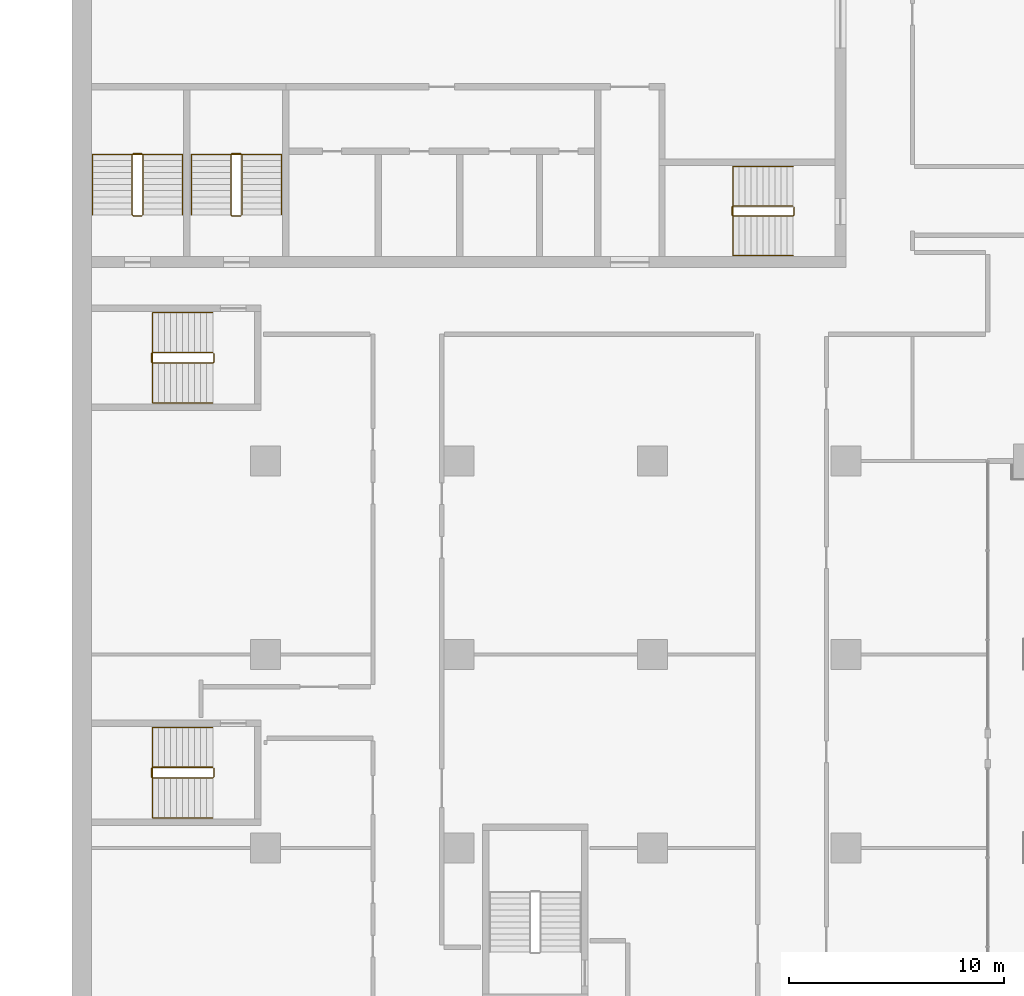
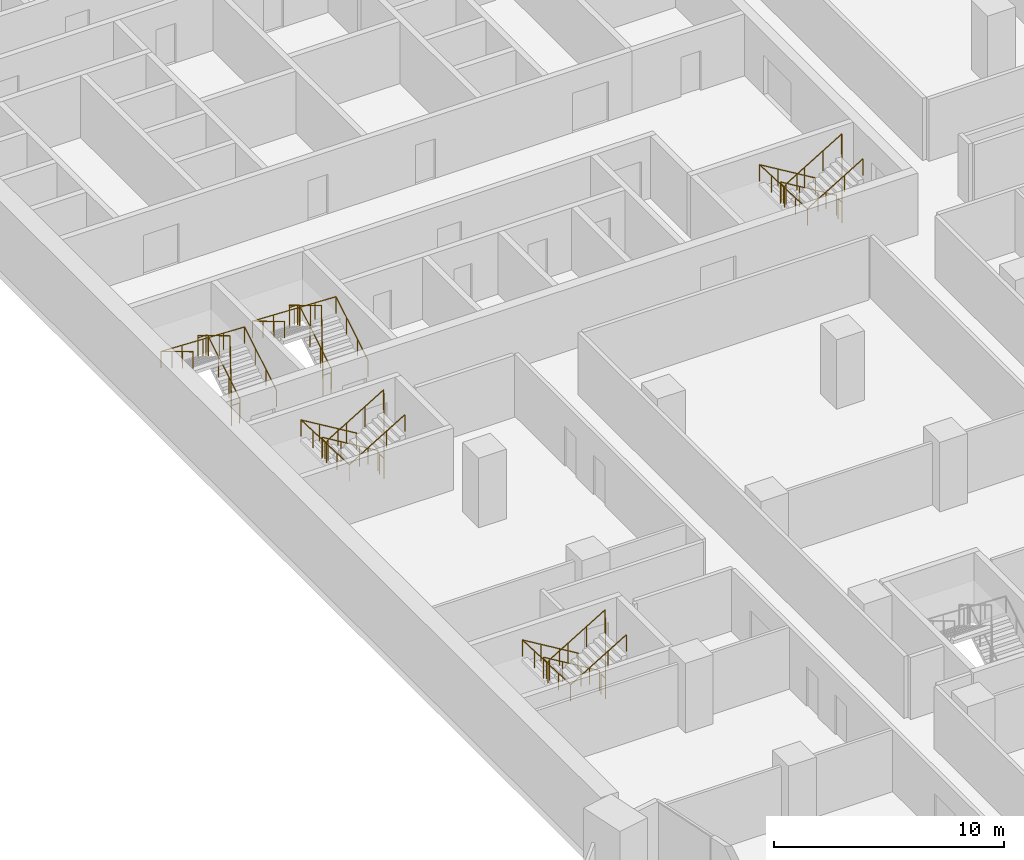
# One storey, part 25 of 28: 10 railings.
"""IFC4 building model written with IfcOpenShell, lengths in metres."""

import ifcopenshell
import ifcopenshell.guid

model = None  # the IFC model being written
_history = None  # IfcOwnerHistory: only IFC2X3 demands one
_inside = {}  # id of a spatial element -> (the spatial element, [elements in it])
_under = {}  # id of a project, library or spatial element -> (it, [spatial elements below it])
_declared = {}  # id of a project -> (the project, [libraries it declares])
_typed = {}  # id of a type object -> (the type object, [elements of that type])
_made_of = {}  # id of a material, layer set ... -> (it, [elements and type objects made of it])


def new_model(schema):
    """Start an empty IFC model of exactly this schema.

    Asked for "IFC4X3", IfcOpenShell would pick the latest addendum, in which some entities
    have other attributes; the version numbers below select the first issue.
    IFC2X3 requires an IfcOwnerHistory on every rooted entity: one is made here for all.
    """
    global model, _history
    if schema == "IFC4X3":
        model = ifcopenshell.file(schema_version=(4, 3, 0, 0))
    else:
        model = ifcopenshell.file(schema=schema)
    _inside.clear()
    _under.clear()
    _declared.clear()
    _typed.clear()
    _made_of.clear()
    _history = None
    if model.schema == "IFC2X3":
        org = make("IfcOrganization", Name="unknown")
        user = make(
            "IfcPersonAndOrganization",
            ThePerson=make("IfcPerson", FamilyName="unknown"),
            TheOrganization=org,
        )
        app = make(
            "IfcApplication",
            ApplicationDeveloper=org,
            Version="unknown",
            ApplicationFullName="unknown",
            ApplicationIdentifier="unknown",
        )
        _history = make(
            "IfcOwnerHistory",
            OwningUser=user,
            OwningApplication=app,
            ChangeAction="ADDED",
            CreationDate=0,
        )
    return model


def make(cls, **values):
    """One entity of the class cls with the attributes given. An attribute that is None is left unset."""
    return model.create_entity(
        cls, **{name: value for name, value in values.items() if value is not None}
    )


def rooted(cls, **values):
    """An entity with a GlobalId (a new one), such as an element, a storey or a relation."""
    return make(cls, GlobalId=ifcopenshell.guid.new(), OwnerHistory=_history, **values)


def si_unit(unit_type, name, prefix=None):
    """IfcSIUnit, for example si_unit("LENGTHUNIT", "METRE", prefix="MILLI")."""
    return make("IfcSIUnit", UnitType=unit_type, Prefix=prefix, Name=name)


def assignment(units):
    """IfcUnitAssignment: the units of a project."""
    return None if units is None else make("IfcUnitAssignment", Units=units)


def point(xyz):
    """IfcCartesianPoint."""
    return None if xyz is None else make("IfcCartesianPoint", Coordinates=xyz)


def direction(xyz):
    """IfcDirection."""
    return None if xyz is None else make("IfcDirection", DirectionRatios=xyz)


def frame(location, z_axis=None, x_axis=None):
    """IfcAxis2Placement3D, a coordinate frame: its origin and axes. An axis left out is left unset."""
    return make(
        "IfcAxis2Placement3D",
        Location=point(location),
        Axis=direction(z_axis),
        RefDirection=direction(x_axis),
    )


def frame_2d(location, x_axis=None):
    """IfcAxis2Placement2D, a coordinate frame in the plane: its origin and x axis."""
    return make(
        "IfcAxis2Placement2D", Location=point(location), RefDirection=direction(x_axis)
    )


def origin():
    """The frame at (0, 0, 0) with its axes left unset."""
    return frame((0.0, 0.0, 0.0))


def origin_2d():
    """The frame at (0, 0) in the plane with its x axis left unset."""
    return frame_2d((0.0, 0.0))


def place(relative_to, where):
    """IfcLocalPlacement: puts the frame where relative to a parent placement (None: the world)."""
    return make(
        "IfcLocalPlacement", PlacementRelTo=relative_to, RelativePlacement=where
    )


def context(
    kind, dimensions, precision=None, world=None, true_north=None, identifier=None
):
    """IfcGeometricRepresentationContext, for example the 3D "Model" context."""
    return make(
        "IfcGeometricRepresentationContext",
        ContextIdentifier=identifier,
        ContextType=kind,
        CoordinateSpaceDimension=dimensions,
        Precision=precision,
        WorldCoordinateSystem=world,
        TrueNorth=true_north,
    )


def subcontext(parent, identifier, kind, view, scale=None):
    """IfcGeometricRepresentationSubContext, for example "Body" below "Model"."""
    return make(
        "IfcGeometricRepresentationSubContext",
        ContextIdentifier=identifier,
        ContextType=kind,
        ParentContext=parent,
        TargetScale=scale,
        TargetView=view,
    )


def project(units=None, contexts=None):
    """IfcProject with its units and contexts."""
    return rooted(
        "IfcProject",
        Name="project",
        RepresentationContexts=contexts,
        UnitsInContext=assignment(units),
    )


def spatial(cls, under=None, at=None, **own):
    """A site, building, storey or space (cls), placed at a placement, below another one or the project."""
    s = rooted(cls, ObjectPlacement=at, **own)
    if under is not None:
        _under.setdefault(under.id(), (under, []))[1].append(s)
    return s


def profile(cls, at=None, kind="AREA", **sizes):
    """A parametric profile (cls). Its sizes go by their IFC names, for example OverallWidth=200.0."""
    return make(cls, ProfileType=kind, Position=at, **sizes)


def circle(**sizes):
    """IfcCircleProfileDef."""
    return profile("IfcCircleProfileDef", **sizes)


def extrude(swept, where, along, depth):
    """IfcExtrudedAreaSolid: the profile swept, set in the frame where, extruded along a direction by depth."""
    return make(
        "IfcExtrudedAreaSolid",
        SweptArea=swept,
        Position=where,
        ExtrudedDirection=direction(along),
        Depth=depth,
    )


def shape(context_of_items, identifier, shape_type, items):
    """IfcShapeRepresentation: the items that make up one representation, for example the "Body"."""
    return make(
        "IfcShapeRepresentation",
        ContextOfItems=context_of_items,
        RepresentationIdentifier=identifier,
        RepresentationType=shape_type,
        Items=items,
    )


def material(Name=None, Category=None):
    """IfcMaterial."""
    return make("IfcMaterial", Name=Name, Category=Category)


def made_of(thing, what):
    """Note that an element or type object is made of a material, layer set ...; save() writes the relation."""
    if what is not None:
        _made_of.setdefault(what.id(), (what, []))[1].append(thing)
    return thing


def type_object(cls, material=None, **own):
    """A type object (cls), such as IfcWallType, which elements share."""
    return made_of(rooted(cls, **own), material)


def element(
    cls,
    number,
    at=None,
    inside=None,
    cuts=None,
    type_object=None,
    material=None,
    context=None,
    identifier="Body",
    shape_type=None,
    held_by="IfcProductDefinitionShape",
    body=None,
    shapes=None,
    **own,
):
    """One element of the class cls, such as IfcWall. Its Tag is "e" and its number.

    at: its placement. inside: the storey or other place that contains it. cuts: it is an
    opening in that element (IfcRelVoidsElement). A single representation is given by context,
    identifier, shape_type and body (its items); several are given by shapes. held_by: the class
    of the entity that holds the representations. save() writes the other relations.
    """
    e = rooted(cls, Tag="e%d" % number, ObjectPlacement=at, **own)
    if body is not None:
        shapes = [shape(context, identifier, shape_type, body)]
    if shapes is not None:
        e.Representation = make(held_by, Representations=shapes)
    if inside is not None:
        _inside.setdefault(inside.id(), (inside, []))[1].append(e)
    if cuts is not None:
        rooted(
            "IfcRelVoidsElement", RelatingBuildingElement=cuts, RelatedOpeningElement=e
        )
    if type_object is not None:
        _typed.setdefault(type_object.id(), (type_object, []))[1].append(e)
    return made_of(e, material)


def aggregate(whole, parts):
    """IfcRelAggregates: a whole, such as a stair, and the parts it consists of."""
    return rooted("IfcRelAggregates", RelatingObject=whole, RelatedObjects=parts)


def save(model, path):
    """Write the relations noted so far, then the file.

    IfcRelAggregates (storeys below a building ...), IfcRelContainedInSpatialStructure (elements
    in a storey), IfcRelDefinesByType, IfcRelAssociatesMaterial and IfcRelDeclares: one each for
    every whole, place, type object, material and project.
    """
    for whole, parts in _under.values():
        aggregate(whole, parts)
    for where, things in _inside.values():
        rooted(
            "IfcRelContainedInSpatialStructure",
            RelatedElements=things,
            RelatingStructure=where,
        )
    for kind, things in _typed.values():
        rooted("IfcRelDefinesByType", RelatedObjects=things, RelatingType=kind)
    for what, things in _made_of.values():
        rooted("IfcRelAssociatesMaterial", RelatedObjects=things, RelatingMaterial=what)
    for by, libraries in _declared.values():
        rooted("IfcRelDeclares", RelatingContext=by, RelatedDefinitions=libraries)
    model.write(path)


model = new_model("IFC4")

# Units and contexts
model_context = context("Model", 3, precision=1e-05, world=origin(), true_north=direction((0.0, 1.0)))
body_context = subcontext(model_context, "Body", "Model", "MODEL_VIEW")
ifc_project = project(units=[si_unit("LENGTHUNIT", "METRE"), si_unit("AREAUNIT", "SQUARE_METRE"), si_unit("VOLUMEUNIT", "CUBIC_METRE"), si_unit("PLANEANGLEUNIT", "RADIAN"), si_unit("MASSUNIT", "GRAM", prefix="KILO")], contexts=[model_context])

# Site, building, storey
site_placement = place(None, origin())
site = spatial("IfcSite", under=ifc_project, at=site_placement, CompositionType="ELEMENT")
building_placement = place(site_placement, origin())
building = spatial("IfcBuilding", under=site, at=building_placement, Name="Hunhe Ridgeline Campus", CompositionType="ELEMENT")
storey_placement = place(building_placement, frame((0.0, 0.0, 43.199951171875)))
storey = spatial("IfcBuildingStorey", under=building, at=storey_placement, Name="L09", CompositionType="ELEMENT", Elevation=43.199951171875)

# Railings
ifc_material_1 = material(Name="Stainless steel balustrade", Category="steel")
railing_type_1 = type_object("IfcRailingType", Name="Stair guard 1100 stainless", PredefinedType="GUARDRAIL", material=ifc_material_1)
railing_1_placement = place(storey_placement, frame((33.550048828125, 65.85009765625, 0.168212890625)))
element("IfcRailing", 1, at=railing_1_placement, inside=storey, type_object=railing_type_1, Name="L09 stair S2 guard", PredefinedType="GUARDRAIL", context=body_context, shape_type="SweptSolid", body=[
    extrude(circle(Radius=0.02392578125, at=origin_2d()), frame((0.0, 0.0, 1.076171875), z_axis=(-0.857242210791, 0.0, 0.514913383045), x_axis=(0.0, -1.0, 0.0)), (0.0, 0.0, 1.0), 3.266357421875),
    extrude(circle(Radius=0.02392578125, at=origin_2d()), frame((-2.800048828125, 0.0, 2.7578125), z_axis=(-0.707106781187, -0.707106781187, 0.0), x_axis=(0.707106781187, -0.707106781187, 0.0)), (0.0, 0.0, 1.0), 0.07080078125),
    extrude(circle(Radius=0.02392578125, at=origin_2d()), frame((-2.85009765625, -0.050048828125, 2.7578125), z_axis=(0.0, -1.0, 0.0), x_axis=(1.0, 0.0, 0.0)), (0.0, 0.0, 1.0), 0.35009765625),
    extrude(circle(Radius=0.02392578125, at=origin_2d()), frame((-2.85009765625, -0.400146484375, 2.7578125), z_axis=(0.274243871929, -0.274243871929, 0.92172696468), x_axis=(0.707106781187, 0.707106781187, 0.0)), (0.0, 0.0, 1.0), 0.1826171875),
    extrude(circle(Radius=0.02392578125, at=origin_2d()), frame((-2.800048828125, -0.4501953125, 2.92626953125), z_axis=(0.857275202839, 0.0, 0.514858452973), x_axis=(0.0, 1.0, 0.0)), (0.0, 0.0, 1.0), 3.26611328125),
    extrude(circle(Radius=0.02392578125, at=origin_2d()), frame((0.0, -0.4501953125, 4.60791015625), z_axis=(0.013524414389, 0.013524414389, -0.999817073484), x_axis=(-0.707106781187, 0.707106781187, 0.0)), (0.0, 0.0, 1.0), 3.70068359375),
    extrude(circle(Radius=0.02392578125, at=origin_2d()), frame((0.050048828125, -0.400146484375, 0.90771484375), z_axis=(0.0, 1.0, 0.0), x_axis=(-1.0, 0.0, 0.0)), (0.0, 0.0, 1.0), 0.35009765625),
    extrude(circle(Radius=0.02099609375, at=origin_2d()), origin(), (0.0, 0.0, 1.0), 1.052001953125),
    extrude(circle(Radius=0.02099609375, at=origin_2d()), frame((-0.933349609375, 0.0, 0.560546875)), (0.0, 0.0, 1.0), 1.052001953125),
    extrude(circle(Radius=0.02099609375, at=origin_2d()), frame((-1.86669921875, 0.0, 1.121337890625)), (0.0, 0.0, 1.0), 1.052001953125),
    extrude(circle(Radius=0.02099609375, at=origin_2d()), frame((-2.800048828125, 0.0, 1.681884765625)), (0.0, 0.0, 1.0), 1.052001953125),
    extrude(circle(Radius=0.02099609375, at=origin_2d()), frame((-2.85009765625, -0.050048828125, 1.681884765625)), (0.0, 0.0, 1.0), 1.052001953125),
    extrude(circle(Radius=0.02099609375, at=origin_2d()), frame((-2.85009765625, -0.400146484375, 1.681884765625)), (0.0, 0.0, 1.0), 1.052001953125),
    extrude(circle(Radius=0.02099609375, at=origin_2d()), frame((-2.800048828125, -0.4501953125, 1.85009765625)), (0.0, 0.0, 1.0), 1.052001953125),
    extrude(circle(Radius=0.02099609375, at=origin_2d()), frame((-1.86669921875, -0.4501953125, 2.41064453125)), (0.0, 0.0, 1.0), 1.052001953125),
    extrude(circle(Radius=0.02099609375, at=origin_2d()), frame((-0.933349609375, -0.4501953125, 2.97119140625)), (0.0, 0.0, 1.0), 1.052001953125),
    extrude(circle(Radius=0.02099609375, at=origin_2d()), frame((0.0, -0.4501953125, 3.53173828125)), (0.0, 0.0, 1.0), 1.052001953125),
    extrude(circle(Radius=0.02099609375, at=origin_2d()), frame((0.012451171875, -0.437744140625, 2.606689453125)), (0.0, 0.0, 1.0), 1.052001953125),
    extrude(circle(Radius=0.02099609375, at=origin_2d()), frame((0.02490234375, -0.42529296875, 1.681640625)), (0.0, 0.0, 1.0), 1.052001953125),
    extrude(circle(Radius=0.02099609375, at=origin_2d()), frame((0.03759765625, -0.41259765625, 0.7568359375)), (0.0, 0.0, 1.0), 1.052001953125),
    extrude(circle(Radius=0.02099609375, at=origin_2d()), frame((0.050048828125, -0.400146484375, -0.168212890625)), (0.0, 0.0, 1.0), 1.052001953125),
    extrude(circle(Radius=0.02099609375, at=origin_2d()), frame((0.050048828125, -0.050048828125, -0.168212890625)), (0.0, 0.0, 1.0), 1.052001953125),
])
railing_2_placement = place(storey_placement, frame((3.300048828125, 65.449951171875, 0.168212890625)))
element("IfcRailing", 2, at=railing_2_placement, inside=storey, type_object=railing_type_1, Name="L09 stair S3 guard", PredefinedType="GUARDRAIL", context=body_context, shape_type="SweptSolid", body=[
    extrude(circle(Radius=0.02392578125, at=origin_2d()), frame((0.0, 0.0, 1.076171875), z_axis=(0.0, 0.857242210791, 0.514913383045), x_axis=(-1.0, 0.0, 0.0)), (0.0, 0.0, 1.0), 3.266357421875),
    extrude(circle(Radius=0.02392578125, at=origin_2d()), frame((0.0, 2.800048828125, 2.7578125), z_axis=(-0.707106781187, 0.707106781187, 0.0), x_axis=(-0.707106781187, -0.707106781187, 0.0)), (0.0, 0.0, 1.0), 0.07080078125),
    extrude(circle(Radius=0.02392578125, at=origin_2d()), frame((-0.050048828125, 2.85009765625, 2.7578125), z_axis=(-1.0, 0.0, 0.0), x_axis=(0.0, -1.0, 0.0)), (0.0, 0.0, 1.0), 0.39990234375),
    extrude(circle(Radius=0.02392578125, at=origin_2d()), frame((-0.449951171875, 2.85009765625, 2.7578125), z_axis=(-0.274243871929, -0.274243871929, 0.92172696468), x_axis=(0.707106781187, -0.707106781187, 0.0)), (0.0, 0.0, 1.0), 0.1826171875),
    extrude(circle(Radius=0.02392578125, at=origin_2d()), frame((-0.5, 2.800048828125, 2.92626953125), z_axis=(0.0, -0.857275202839, 0.514858452973), x_axis=(1.0, 0.0, 0.0)), (0.0, 0.0, 1.0), 3.26611328125),
    extrude(circle(Radius=0.02392578125, at=origin_2d()), frame((-0.5, 0.0, 4.60791015625), z_axis=(0.013524414389, -0.013524414389, -0.999817073484), x_axis=(0.707106781187, 0.707106781187, 0.0)), (0.0, 0.0, 1.0), 3.70068359375),
    extrude(circle(Radius=0.02392578125, at=origin_2d()), frame((-0.449951171875, -0.050048828125, 0.90771484375), z_axis=(1.0, 0.0, 0.0), x_axis=(0.0, 1.0, 0.0)), (0.0, 0.0, 1.0), 0.39990234375),
    extrude(circle(Radius=0.02099609375, at=origin_2d()), origin(), (0.0, 0.0, 1.0), 1.052001953125),
    extrude(circle(Radius=0.02099609375, at=origin_2d()), frame((0.0, 0.933349609375, 0.560546875)), (0.0, 0.0, 1.0), 1.052001953125),
    extrude(circle(Radius=0.02099609375, at=origin_2d()), frame((0.0, 1.86669921875, 1.121337890625)), (0.0, 0.0, 1.0), 1.052001953125),
    extrude(circle(Radius=0.02099609375, at=origin_2d()), frame((0.0, 2.800048828125, 1.681884765625)), (0.0, 0.0, 1.0), 1.052001953125),
    extrude(circle(Radius=0.02099609375, at=origin_2d()), frame((-0.050048828125, 2.85009765625, 1.681884765625)), (0.0, 0.0, 1.0), 1.052001953125),
    extrude(circle(Radius=0.02099609375, at=origin_2d()), frame((-0.449951171875, 2.85009765625, 1.681884765625)), (0.0, 0.0, 1.0), 1.052001953125),
    extrude(circle(Radius=0.02099609375, at=origin_2d()), frame((-0.5, 2.800048828125, 1.85009765625)), (0.0, 0.0, 1.0), 1.052001953125),
    extrude(circle(Radius=0.02099609375, at=origin_2d()), frame((-0.5, 1.86669921875, 2.41064453125)), (0.0, 0.0, 1.0), 1.052001953125),
    extrude(circle(Radius=0.02099609375, at=origin_2d()), frame((-0.5, 0.933349609375, 2.97119140625)), (0.0, 0.0, 1.0), 1.052001953125),
    extrude(circle(Radius=0.02099609375, at=origin_2d()), frame((-0.5, 0.0, 3.53173828125)), (0.0, 0.0, 1.0), 1.052001953125),
    extrude(circle(Radius=0.02099609375, at=origin_2d()), frame((-0.487548828125, -0.012451171875, 2.606689453125)), (0.0, 0.0, 1.0), 1.052001953125),
    extrude(circle(Radius=0.02099609375, at=origin_2d()), frame((-0.47509765625, -0.02490234375, 1.681640625)), (0.0, 0.0, 1.0), 1.052001953125),
    extrude(circle(Radius=0.02099609375, at=origin_2d()), frame((-0.46240234375, -0.03759765625, 0.7568359375)), (0.0, 0.0, 1.0), 1.052001953125),
    extrude(circle(Radius=0.02099609375, at=origin_2d()), frame((-0.449951171875, -0.050048828125, -0.168212890625)), (0.0, 0.0, 1.0), 1.052001953125),
    extrude(circle(Radius=0.02099609375, at=origin_2d()), frame((-0.050048828125, -0.050048828125, -0.168212890625)), (0.0, 0.0, 1.0), 1.052001953125),
])
railing_3_placement = place(storey_placement, frame((7.89990234375, 65.449951171875, 0.168212890625)))
element("IfcRailing", 3, at=railing_3_placement, inside=storey, type_object=railing_type_1, Name="L09 stair S4 guard", PredefinedType="GUARDRAIL", context=body_context, shape_type="SweptSolid", body=[
    extrude(circle(Radius=0.02392578125, at=origin_2d()), frame((0.0, 0.0, 1.076171875), z_axis=(0.0, 0.857242210791, 0.514913383045), x_axis=(-1.0, 0.0, 0.0)), (0.0, 0.0, 1.0), 3.266357421875),
    extrude(circle(Radius=0.02392578125, at=origin_2d()), frame((0.0, 2.800048828125, 2.7578125), z_axis=(-0.705375805398, 0.708833529934, 0.0), x_axis=(-0.708833529934, -0.705375805398, 0.0)), (0.0, 0.0, 1.0), 0.070556640625),
    extrude(circle(Radius=0.02392578125, at=origin_2d()), frame((-0.0498046875, 2.85009765625, 2.7578125), z_axis=(-1.0, 0.0, 0.0), x_axis=(0.0, -1.0, 0.0)), (0.0, 0.0, 1.0), 0.400146484375),
    extrude(circle(Radius=0.02392578125, at=origin_2d()), frame((-0.449951171875, 2.85009765625, 2.7578125), z_axis=(-0.274243871929, -0.274243871929, 0.92172696468), x_axis=(0.707106781187, -0.707106781187, 0.0)), (0.0, 0.0, 1.0), 0.1826171875),
    extrude(circle(Radius=0.02392578125, at=origin_2d()), frame((-0.5, 2.800048828125, 2.92626953125), z_axis=(0.0, -0.857275202839, 0.514858452973), x_axis=(1.0, 0.0, 0.0)), (0.0, 0.0, 1.0), 3.26611328125),
    extrude(circle(Radius=0.02392578125, at=origin_2d()), frame((-0.5, 0.0, 4.60791015625), z_axis=(0.013524414389, -0.013524414389, -0.999817073484), x_axis=(0.707106781187, 0.707106781187, 0.0)), (0.0, 0.0, 1.0), 3.70068359375),
    extrude(circle(Radius=0.02392578125, at=origin_2d()), frame((-0.449951171875, -0.050048828125, 0.90771484375), z_axis=(1.0, 0.0, 0.0), x_axis=(0.0, 1.0, 0.0)), (0.0, 0.0, 1.0), 0.400146484375),
    extrude(circle(Radius=0.02099609375, at=origin_2d()), origin(), (0.0, 0.0, 1.0), 1.052001953125),
    extrude(circle(Radius=0.02099609375, at=origin_2d()), frame((0.0, 0.933349609375, 0.560546875)), (0.0, 0.0, 1.0), 1.052001953125),
    extrude(circle(Radius=0.02099609375, at=origin_2d()), frame((0.0, 1.86669921875, 1.121337890625)), (0.0, 0.0, 1.0), 1.052001953125),
    extrude(circle(Radius=0.02099609375, at=origin_2d()), frame((0.0, 2.800048828125, 1.681884765625)), (0.0, 0.0, 1.0), 1.052001953125),
    extrude(circle(Radius=0.02099609375, at=origin_2d()), frame((-0.0498046875, 2.85009765625, 1.681884765625)), (0.0, 0.0, 1.0), 1.052001953125),
    extrude(circle(Radius=0.02099609375, at=origin_2d()), frame((-0.449951171875, 2.85009765625, 1.681884765625)), (0.0, 0.0, 1.0), 1.052001953125),
    extrude(circle(Radius=0.02099609375, at=origin_2d()), frame((-0.5, 2.800048828125, 1.85009765625)), (0.0, 0.0, 1.0), 1.052001953125),
    extrude(circle(Radius=0.02099609375, at=origin_2d()), frame((-0.5, 1.86669921875, 2.41064453125)), (0.0, 0.0, 1.0), 1.052001953125),
    extrude(circle(Radius=0.02099609375, at=origin_2d()), frame((-0.5, 0.933349609375, 2.97119140625)), (0.0, 0.0, 1.0), 1.052001953125),
    extrude(circle(Radius=0.02099609375, at=origin_2d()), frame((-0.5, 0.0, 3.53173828125)), (0.0, 0.0, 1.0), 1.052001953125),
    extrude(circle(Radius=0.02099609375, at=origin_2d()), frame((-0.487548828125, -0.012451171875, 2.606689453125)), (0.0, 0.0, 1.0), 1.052001953125),
    extrude(circle(Radius=0.02099609375, at=origin_2d()), frame((-0.47509765625, -0.02490234375, 1.681640625)), (0.0, 0.0, 1.0), 1.052001953125),
    extrude(circle(Radius=0.02099609375, at=origin_2d()), frame((-0.46240234375, -0.03759765625, 0.7568359375)), (0.0, 0.0, 1.0), 1.052001953125),
    extrude(circle(Radius=0.02099609375, at=origin_2d()), frame((-0.449951171875, -0.050048828125, -0.168212890625)), (0.0, 0.0, 1.0), 1.052001953125),
    extrude(circle(Radius=0.02099609375, at=origin_2d()), frame((-0.0498046875, -0.050048828125, -0.168212890625)), (0.0, 0.0, 1.0), 1.052001953125),
])
railing_4_placement = place(storey_placement, frame((6.550048828125, 39.75, 0.168212890625)))
element("IfcRailing", 4, at=railing_4_placement, inside=storey, type_object=railing_type_1, Name="L09 stair W1 guard", PredefinedType="GUARDRAIL", context=body_context, shape_type="SweptSolid", body=[
    extrude(circle(Radius=0.02392578125, at=origin_2d()), frame((0.0, 0.0, 1.076171875), z_axis=(-0.857242210791, 0.0, 0.514913383045), x_axis=(0.0, -1.0, 0.0)), (0.0, 0.0, 1.0), 3.266357421875),
    extrude(circle(Radius=0.02392578125, at=origin_2d()), frame((-2.800048828125, 0.0, 2.7578125), z_axis=(-0.707106781187, -0.707106781187, 0.0), x_axis=(0.707106781187, -0.707106781187, 0.0)), (0.0, 0.0, 1.0), 0.07080078125),
    extrude(circle(Radius=0.02392578125, at=origin_2d()), frame((-2.85009765625, -0.050048828125, 2.7578125), z_axis=(0.0, -1.0, 0.0), x_axis=(1.0, 0.0, 0.0)), (0.0, 0.0, 1.0), 0.39990234375),
    extrude(circle(Radius=0.02392578125, at=origin_2d()), frame((-2.85009765625, -0.449951171875, 2.7578125), z_axis=(0.274243871929, -0.274243871929, 0.92172696468), x_axis=(0.707106781187, 0.707106781187, 0.0)), (0.0, 0.0, 1.0), 0.1826171875),
    extrude(circle(Radius=0.02392578125, at=origin_2d()), frame((-2.800048828125, -0.5, 2.92626953125), z_axis=(0.857275202839, 0.0, 0.514858452973), x_axis=(0.0, 1.0, 0.0)), (0.0, 0.0, 1.0), 3.26611328125),
    extrude(circle(Radius=0.02392578125, at=origin_2d()), frame((0.0, -0.5, 4.60791015625), z_axis=(0.013524414389, 0.013524414389, -0.999817073484), x_axis=(-0.707106781187, 0.707106781187, 0.0)), (0.0, 0.0, 1.0), 3.70068359375),
    extrude(circle(Radius=0.02392578125, at=origin_2d()), frame((0.050048828125, -0.449951171875, 0.90771484375), z_axis=(0.0, 1.0, 0.0), x_axis=(-1.0, 0.0, 0.0)), (0.0, 0.0, 1.0), 0.39990234375),
    extrude(circle(Radius=0.02099609375, at=origin_2d()), origin(), (0.0, 0.0, 1.0), 1.052001953125),
    extrude(circle(Radius=0.02099609375, at=origin_2d()), frame((-0.933349609375, 0.0, 0.560546875)), (0.0, 0.0, 1.0), 1.052001953125),
    extrude(circle(Radius=0.02099609375, at=origin_2d()), frame((-1.86669921875, 0.0, 1.121337890625)), (0.0, 0.0, 1.0), 1.052001953125),
    extrude(circle(Radius=0.02099609375, at=origin_2d()), frame((-2.800048828125, 0.0, 1.681884765625)), (0.0, 0.0, 1.0), 1.052001953125),
    extrude(circle(Radius=0.02099609375, at=origin_2d()), frame((-2.85009765625, -0.050048828125, 1.681884765625)), (0.0, 0.0, 1.0), 1.052001953125),
    extrude(circle(Radius=0.02099609375, at=origin_2d()), frame((-2.85009765625, -0.449951171875, 1.681884765625)), (0.0, 0.0, 1.0), 1.052001953125),
    extrude(circle(Radius=0.02099609375, at=origin_2d()), frame((-2.800048828125, -0.5, 1.85009765625)), (0.0, 0.0, 1.0), 1.052001953125),
    extrude(circle(Radius=0.02099609375, at=origin_2d()), frame((-1.86669921875, -0.5, 2.41064453125)), (0.0, 0.0, 1.0), 1.052001953125),
    extrude(circle(Radius=0.02099609375, at=origin_2d()), frame((-0.933349609375, -0.5, 2.97119140625)), (0.0, 0.0, 1.0), 1.052001953125),
    extrude(circle(Radius=0.02099609375, at=origin_2d()), frame((0.0, -0.5, 3.53173828125)), (0.0, 0.0, 1.0), 1.052001953125),
    extrude(circle(Radius=0.02099609375, at=origin_2d()), frame((0.012451171875, -0.487548828125, 2.606689453125)), (0.0, 0.0, 1.0), 1.052001953125),
    extrude(circle(Radius=0.02099609375, at=origin_2d()), frame((0.02490234375, -0.47509765625, 1.681640625)), (0.0, 0.0, 1.0), 1.052001953125),
    extrude(circle(Radius=0.02099609375, at=origin_2d()), frame((0.03759765625, -0.46240234375, 0.7568359375)), (0.0, 0.0, 1.0), 1.052001953125),
    extrude(circle(Radius=0.02099609375, at=origin_2d()), frame((0.050048828125, -0.449951171875, -0.168212890625)), (0.0, 0.0, 1.0), 1.052001953125),
    extrude(circle(Radius=0.02099609375, at=origin_2d()), frame((0.050048828125, -0.050048828125, -0.168212890625)), (0.0, 0.0, 1.0), 1.052001953125),
])
railing_5_placement = place(storey_placement, frame((6.550048828125, 59.050048828125, 0.168212890625)))
element("IfcRailing", 5, at=railing_5_placement, inside=storey, type_object=railing_type_1, Name="L09 stair W2 guard", PredefinedType="GUARDRAIL", context=body_context, shape_type="SweptSolid", body=[
    extrude(circle(Radius=0.02392578125, at=origin_2d()), frame((0.0, 0.0, 1.076171875), z_axis=(-0.857242210791, 0.0, 0.514913383045), x_axis=(0.0, -1.0, 0.0)), (0.0, 0.0, 1.0), 3.266357421875),
    extrude(circle(Radius=0.02392578125, at=origin_2d()), frame((-2.800048828125, 0.0, 2.7578125), z_axis=(-0.707106781187, -0.707106781187, 0.0), x_axis=(0.707106781187, -0.707106781187, 0.0)), (0.0, 0.0, 1.0), 0.07080078125),
    extrude(circle(Radius=0.02392578125, at=origin_2d()), frame((-2.85009765625, -0.050048828125, 2.7578125), z_axis=(0.0, -1.0, 0.0), x_axis=(1.0, 0.0, 0.0)), (0.0, 0.0, 1.0), 0.39990234375),
    extrude(circle(Radius=0.02392578125, at=origin_2d()), frame((-2.85009765625, -0.449951171875, 2.7578125), z_axis=(0.274243871929, -0.274243871929, 0.92172696468), x_axis=(0.707106781187, 0.707106781187, 0.0)), (0.0, 0.0, 1.0), 0.1826171875),
    extrude(circle(Radius=0.02392578125, at=origin_2d()), frame((-2.800048828125, -0.5, 2.92626953125), z_axis=(0.857275202839, 0.0, 0.514858452973), x_axis=(0.0, 1.0, 0.0)), (0.0, 0.0, 1.0), 3.26611328125),
    extrude(circle(Radius=0.02392578125, at=origin_2d()), frame((0.0, -0.5, 4.60791015625), z_axis=(0.013524414389, 0.013524414389, -0.999817073484), x_axis=(-0.707106781187, 0.707106781187, 0.0)), (0.0, 0.0, 1.0), 3.70068359375),
    extrude(circle(Radius=0.02392578125, at=origin_2d()), frame((0.050048828125, -0.449951171875, 0.90771484375), z_axis=(0.0, 1.0, 0.0), x_axis=(-1.0, 0.0, 0.0)), (0.0, 0.0, 1.0), 0.39990234375),
    extrude(circle(Radius=0.02099609375, at=origin_2d()), origin(), (0.0, 0.0, 1.0), 1.052001953125),
    extrude(circle(Radius=0.02099609375, at=origin_2d()), frame((-0.933349609375, 0.0, 0.560546875)), (0.0, 0.0, 1.0), 1.052001953125),
    extrude(circle(Radius=0.02099609375, at=origin_2d()), frame((-1.86669921875, 0.0, 1.121337890625)), (0.0, 0.0, 1.0), 1.052001953125),
    extrude(circle(Radius=0.02099609375, at=origin_2d()), frame((-2.800048828125, 0.0, 1.681884765625)), (0.0, 0.0, 1.0), 1.052001953125),
    extrude(circle(Radius=0.02099609375, at=origin_2d()), frame((-2.85009765625, -0.050048828125, 1.681884765625)), (0.0, 0.0, 1.0), 1.052001953125),
    extrude(circle(Radius=0.02099609375, at=origin_2d()), frame((-2.85009765625, -0.449951171875, 1.681884765625)), (0.0, 0.0, 1.0), 1.052001953125),
    extrude(circle(Radius=0.02099609375, at=origin_2d()), frame((-2.800048828125, -0.5, 1.85009765625)), (0.0, 0.0, 1.0), 1.052001953125),
    extrude(circle(Radius=0.02099609375, at=origin_2d()), frame((-1.86669921875, -0.5, 2.41064453125)), (0.0, 0.0, 1.0), 1.052001953125),
    extrude(circle(Radius=0.02099609375, at=origin_2d()), frame((-0.933349609375, -0.5, 2.97119140625)), (0.0, 0.0, 1.0), 1.052001953125),
    extrude(circle(Radius=0.02099609375, at=origin_2d()), frame((0.0, -0.5, 3.53173828125)), (0.0, 0.0, 1.0), 1.052001953125),
    extrude(circle(Radius=0.02099609375, at=origin_2d()), frame((0.012451171875, -0.487548828125, 2.606689453125)), (0.0, 0.0, 1.0), 1.052001953125),
    extrude(circle(Radius=0.02099609375, at=origin_2d()), frame((0.02490234375, -0.47509765625, 1.681640625)), (0.0, 0.0, 1.0), 1.052001953125),
    extrude(circle(Radius=0.02099609375, at=origin_2d()), frame((0.03759765625, -0.46240234375, 0.7568359375)), (0.0, 0.0, 1.0), 1.052001953125),
    extrude(circle(Radius=0.02099609375, at=origin_2d()), frame((0.050048828125, -0.449951171875, -0.168212890625)), (0.0, 0.0, 1.0), 1.052001953125),
    extrude(circle(Radius=0.02099609375, at=origin_2d()), frame((0.050048828125, -0.050048828125, -0.168212890625)), (0.0, 0.0, 1.0), 1.052001953125),
])
ifc_material_2 = material(Name="Stainless steel handrail", Category="steel")
railing_type_2 = type_object("IfcRailingType", Name="Stair handrail 900 stainless", PredefinedType="HANDRAIL", material=ifc_material_2)
railing_6_placement = place(storey_placement, frame((33.550048828125, 67.699951171875, 0.168212890625)))
element("IfcRailing", 6, at=railing_6_placement, inside=storey, type_object=railing_type_2, Name="L09 stair S2 handrail", PredefinedType="HANDRAIL", context=body_context, shape_type="SweptSolid", body=[
    extrude(circle(Radius=0.02392578125, at=origin_2d()), frame((0.0, 0.0, 0.8759765625), z_axis=(-0.857242210791, 0.0, 0.514913383045), x_axis=(0.0, -1.0, 0.0)), (0.0, 0.0, 1.0), 3.266357421875),
    extrude(circle(Radius=0.02392578125, at=origin_2d()), frame((-2.800048828125, 0.0, 2.5576171875), z_axis=(0.0, -0.99917950104, 0.040500922239), x_axis=(1.0, 0.0, 0.0)), (0.0, 0.0, 1.0), 4.1533203125),
    extrude(circle(Radius=0.02392578125, at=origin_2d()), frame((-2.800048828125, -4.14990234375, 2.72607421875), z_axis=(0.857275202839, 0.0, 0.514858452973), x_axis=(0.0, 1.0, 0.0)), (0.0, 0.0, 1.0), 3.26611328125),
    extrude(circle(Radius=0.02099609375, at=origin_2d()), origin(), (0.0, 0.0, 1.0), 0.851806640625),
    extrude(circle(Radius=0.02099609375, at=origin_2d()), frame((-0.933349609375, 0.0, 0.560546875)), (0.0, 0.0, 1.0), 0.851806640625),
    extrude(circle(Radius=0.02099609375, at=origin_2d()), frame((-1.86669921875, 0.0, 1.121337890625)), (0.0, 0.0, 1.0), 0.851806640625),
    extrude(circle(Radius=0.02099609375, at=origin_2d()), frame((-2.800048828125, 0.0, 1.681884765625)), (0.0, 0.0, 1.0), 0.851806640625),
    extrude(circle(Radius=0.02099609375, at=origin_2d()), frame((-2.800048828125, -1.03759765625, 1.723876953125)), (0.0, 0.0, 1.0), 0.851806640625),
    extrude(circle(Radius=0.02099609375, at=origin_2d()), frame((-2.800048828125, -2.074951171875, 1.76611328125)), (0.0, 0.0, 1.0), 0.851806640625),
    extrude(circle(Radius=0.02099609375, at=origin_2d()), frame((-2.800048828125, -3.1123046875, 1.80810546875)), (0.0, 0.0, 1.0), 0.851806640625),
    extrude(circle(Radius=0.02099609375, at=origin_2d()), frame((-2.800048828125, -4.14990234375, 1.85009765625)), (0.0, 0.0, 1.0), 0.851806640625),
    extrude(circle(Radius=0.02099609375, at=origin_2d()), frame((-1.86669921875, -4.14990234375, 2.41064453125)), (0.0, 0.0, 1.0), 0.851806640625),
    extrude(circle(Radius=0.02099609375, at=origin_2d()), frame((-0.933349609375, -4.14990234375, 2.97119140625)), (0.0, 0.0, 1.0), 0.851806640625),
    extrude(circle(Radius=0.02099609375, at=origin_2d()), frame((0.0, -4.14990234375, 3.53173828125)), (0.0, 0.0, 1.0), 0.851806640625),
])
railing_7_placement = place(storey_placement, frame((5.14990234375, 65.449951171875, 0.168212890625)))
element("IfcRailing", 7, at=railing_7_placement, inside=storey, type_object=railing_type_2, Name="L09 stair S3 handrail", PredefinedType="HANDRAIL", context=body_context, shape_type="SweptSolid", body=[
    extrude(circle(Radius=0.02392578125, at=origin_2d()), frame((0.0, 0.0, 0.8759765625), z_axis=(0.0, 0.857242210791, 0.514913383045), x_axis=(-1.0, 0.0, 0.0)), (0.0, 0.0, 1.0), 3.266357421875),
    extrude(circle(Radius=0.02392578125, at=origin_2d()), frame((0.0, 2.800048828125, 2.5576171875), z_axis=(-0.999198916169, 0.0, 0.040019069537), x_axis=(0.0, -1.0, 0.0)), (0.0, 0.0, 1.0), 4.203369140625),
    extrude(circle(Radius=0.02392578125, at=origin_2d()), frame((-4.199951171875, 2.800048828125, 2.72607421875), z_axis=(0.0, -0.857275202839, 0.514858452973), x_axis=(1.0, 0.0, 0.0)), (0.0, 0.0, 1.0), 3.26611328125),
    extrude(circle(Radius=0.02099609375, at=origin_2d()), origin(), (0.0, 0.0, 1.0), 0.851806640625),
    extrude(circle(Radius=0.02099609375, at=origin_2d()), frame((0.0, 0.933349609375, 0.560546875)), (0.0, 0.0, 1.0), 0.851806640625),
    extrude(circle(Radius=0.02099609375, at=origin_2d()), frame((0.0, 1.86669921875, 1.121337890625)), (0.0, 0.0, 1.0), 0.851806640625),
    extrude(circle(Radius=0.02099609375, at=origin_2d()), frame((0.0, 2.800048828125, 1.681884765625)), (0.0, 0.0, 1.0), 0.851806640625),
    extrude(circle(Radius=0.02099609375, at=origin_2d()), frame((-1.050048828125, 2.800048828125, 1.723876953125)), (0.0, 0.0, 1.0), 0.851806640625),
    extrude(circle(Radius=0.02099609375, at=origin_2d()), frame((-2.10009765625, 2.800048828125, 1.76611328125)), (0.0, 0.0, 1.0), 0.851806640625),
    extrude(circle(Radius=0.02099609375, at=origin_2d()), frame((-3.14990234375, 2.800048828125, 1.80810546875)), (0.0, 0.0, 1.0), 0.851806640625),
    extrude(circle(Radius=0.02099609375, at=origin_2d()), frame((-4.199951171875, 2.800048828125, 1.85009765625)), (0.0, 0.0, 1.0), 0.851806640625),
    extrude(circle(Radius=0.02099609375, at=origin_2d()), frame((-4.199951171875, 1.86669921875, 2.41064453125)), (0.0, 0.0, 1.0), 0.851806640625),
    extrude(circle(Radius=0.02099609375, at=origin_2d()), frame((-4.199951171875, 0.933349609375, 2.97119140625)), (0.0, 0.0, 1.0), 0.851806640625),
    extrude(circle(Radius=0.02099609375, at=origin_2d()), frame((-4.199951171875, 0.0, 3.53173828125)), (0.0, 0.0, 1.0), 0.851806640625),
])
railing_8_placement = place(storey_placement, frame((9.75, 65.449951171875, 0.168212890625)))
element("IfcRailing", 8, at=railing_8_placement, inside=storey, type_object=railing_type_2, Name="L09 stair S4 handrail", PredefinedType="HANDRAIL", context=body_context, shape_type="SweptSolid", body=[
    extrude(circle(Radius=0.02392578125, at=origin_2d()), frame((0.0, 0.0, 0.8759765625), z_axis=(0.0, 0.857242210791, 0.514913383045), x_axis=(-1.0, 0.0, 0.0)), (0.0, 0.0, 1.0), 3.266357421875),
    extrude(circle(Radius=0.02392578125, at=origin_2d()), frame((0.0, 2.800048828125, 2.5576171875), z_axis=(-0.999198916169, 0.0, 0.040019069537), x_axis=(0.0, -1.0, 0.0)), (0.0, 0.0, 1.0), 4.203369140625),
    extrude(circle(Radius=0.02392578125, at=origin_2d()), frame((-4.199951171875, 2.800048828125, 2.72607421875), z_axis=(0.0, -0.857275202839, 0.514858452973), x_axis=(1.0, 0.0, 0.0)), (0.0, 0.0, 1.0), 3.26611328125),
    extrude(circle(Radius=0.02099609375, at=origin_2d()), origin(), (0.0, 0.0, 1.0), 0.851806640625),
    extrude(circle(Radius=0.02099609375, at=origin_2d()), frame((0.0, 0.933349609375, 0.560546875)), (0.0, 0.0, 1.0), 0.851806640625),
    extrude(circle(Radius=0.02099609375, at=origin_2d()), frame((0.0, 1.86669921875, 1.121337890625)), (0.0, 0.0, 1.0), 0.851806640625),
    extrude(circle(Radius=0.02099609375, at=origin_2d()), frame((0.0, 2.800048828125, 1.681884765625)), (0.0, 0.0, 1.0), 0.851806640625),
    extrude(circle(Radius=0.02099609375, at=origin_2d()), frame((-1.050048828125, 2.800048828125, 1.723876953125)), (0.0, 0.0, 1.0), 0.851806640625),
    extrude(circle(Radius=0.02099609375, at=origin_2d()), frame((-2.10009765625, 2.800048828125, 1.76611328125)), (0.0, 0.0, 1.0), 0.851806640625),
    extrude(circle(Radius=0.02099609375, at=origin_2d()), frame((-3.14990234375, 2.800048828125, 1.80810546875)), (0.0, 0.0, 1.0), 0.851806640625),
    extrude(circle(Radius=0.02099609375, at=origin_2d()), frame((-4.199951171875, 2.800048828125, 1.85009765625)), (0.0, 0.0, 1.0), 0.851806640625),
    extrude(circle(Radius=0.02099609375, at=origin_2d()), frame((-4.199951171875, 1.86669921875, 2.41064453125)), (0.0, 0.0, 1.0), 0.851806640625),
    extrude(circle(Radius=0.02099609375, at=origin_2d()), frame((-4.199951171875, 0.933349609375, 2.97119140625)), (0.0, 0.0, 1.0), 0.851806640625),
    extrude(circle(Radius=0.02099609375, at=origin_2d()), frame((-4.199951171875, 0.0, 3.53173828125)), (0.0, 0.0, 1.0), 0.851806640625),
])
railing_9_placement = place(storey_placement, frame((6.550048828125, 41.60009765625, 0.168212890625)))
element("IfcRailing", 9, at=railing_9_placement, inside=storey, type_object=railing_type_2, Name="L09 stair W1 handrail", PredefinedType="HANDRAIL", context=body_context, shape_type="SweptSolid", body=[
    extrude(circle(Radius=0.02392578125, at=origin_2d()), frame((0.0, 0.0, 0.8759765625), z_axis=(-0.857242210791, 0.0, 0.514913383045), x_axis=(0.0, -1.0, 0.0)), (0.0, 0.0, 1.0), 3.266357421875),
    extrude(circle(Radius=0.02392578125, at=origin_2d()), frame((-2.800048828125, 0.0, 2.5576171875), z_axis=(0.0, -0.999199009182, 0.040016747113), x_axis=(1.0, 0.0, 0.0)), (0.0, 0.0, 1.0), 4.20361328125),
    extrude(circle(Radius=0.02392578125, at=origin_2d()), frame((-2.800048828125, -4.2001953125, 2.72607421875), z_axis=(0.857275202839, 0.0, 0.514858452973), x_axis=(0.0, 1.0, 0.0)), (0.0, 0.0, 1.0), 3.26611328125),
    extrude(circle(Radius=0.02099609375, at=origin_2d()), origin(), (0.0, 0.0, 1.0), 0.851806640625),
    extrude(circle(Radius=0.02099609375, at=origin_2d()), frame((-0.933349609375, 0.0, 0.560546875)), (0.0, 0.0, 1.0), 0.851806640625),
    extrude(circle(Radius=0.02099609375, at=origin_2d()), frame((-1.86669921875, 0.0, 1.121337890625)), (0.0, 0.0, 1.0), 0.851806640625),
    extrude(circle(Radius=0.02099609375, at=origin_2d()), frame((-2.800048828125, 0.0, 1.681884765625)), (0.0, 0.0, 1.0), 0.851806640625),
    extrude(circle(Radius=0.02099609375, at=origin_2d()), frame((-2.800048828125, -1.050048828125, 1.723876953125)), (0.0, 0.0, 1.0), 0.851806640625),
    extrude(circle(Radius=0.02099609375, at=origin_2d()), frame((-2.800048828125, -2.10009765625, 1.76611328125)), (0.0, 0.0, 1.0), 0.851806640625),
    extrude(circle(Radius=0.02099609375, at=origin_2d()), frame((-2.800048828125, -3.150146484375, 1.80810546875)), (0.0, 0.0, 1.0), 0.851806640625),
    extrude(circle(Radius=0.02099609375, at=origin_2d()), frame((-2.800048828125, -4.2001953125, 1.85009765625)), (0.0, 0.0, 1.0), 0.851806640625),
    extrude(circle(Radius=0.02099609375, at=origin_2d()), frame((-1.86669921875, -4.2001953125, 2.41064453125)), (0.0, 0.0, 1.0), 0.851806640625),
    extrude(circle(Radius=0.02099609375, at=origin_2d()), frame((-0.933349609375, -4.2001953125, 2.97119140625)), (0.0, 0.0, 1.0), 0.851806640625),
    extrude(circle(Radius=0.02099609375, at=origin_2d()), frame((0.0, -4.2001953125, 3.53173828125)), (0.0, 0.0, 1.0), 0.851806640625),
])
railing_10_placement = place(storey_placement, frame((6.550048828125, 60.89990234375, 0.168212890625)))
element("IfcRailing", 10, at=railing_10_placement, inside=storey, type_object=railing_type_2, Name="L09 stair W2 handrail", PredefinedType="HANDRAIL", context=body_context, shape_type="SweptSolid", body=[
    extrude(circle(Radius=0.02392578125, at=origin_2d()), frame((0.0, 0.0, 0.8759765625), z_axis=(-0.857242210791, 0.0, 0.514913383045), x_axis=(0.0, -1.0, 0.0)), (0.0, 0.0, 1.0), 3.266357421875),
    extrude(circle(Radius=0.02392578125, at=origin_2d()), frame((-2.800048828125, 0.0, 2.5576171875), z_axis=(0.0, -0.999198916169, 0.040019069537), x_axis=(1.0, 0.0, 0.0)), (0.0, 0.0, 1.0), 4.203369140625),
    extrude(circle(Radius=0.02392578125, at=origin_2d()), frame((-2.800048828125, -4.199951171875, 2.72607421875), z_axis=(0.857275202839, 0.0, 0.514858452973), x_axis=(0.0, 1.0, 0.0)), (0.0, 0.0, 1.0), 3.26611328125),
    extrude(circle(Radius=0.02099609375, at=origin_2d()), origin(), (0.0, 0.0, 1.0), 0.851806640625),
    extrude(circle(Radius=0.02099609375, at=origin_2d()), frame((-0.933349609375, 0.0, 0.560546875)), (0.0, 0.0, 1.0), 0.851806640625),
    extrude(circle(Radius=0.02099609375, at=origin_2d()), frame((-1.86669921875, 0.0, 1.121337890625)), (0.0, 0.0, 1.0), 0.851806640625),
    extrude(circle(Radius=0.02099609375, at=origin_2d()), frame((-2.800048828125, 0.0, 1.681884765625)), (0.0, 0.0, 1.0), 0.851806640625),
    extrude(circle(Radius=0.02099609375, at=origin_2d()), frame((-2.800048828125, -1.050048828125, 1.723876953125)), (0.0, 0.0, 1.0), 0.851806640625),
    extrude(circle(Radius=0.02099609375, at=origin_2d()), frame((-2.800048828125, -2.10009765625, 1.76611328125)), (0.0, 0.0, 1.0), 0.851806640625),
    extrude(circle(Radius=0.02099609375, at=origin_2d()), frame((-2.800048828125, -3.14990234375, 1.80810546875)), (0.0, 0.0, 1.0), 0.851806640625),
    extrude(circle(Radius=0.02099609375, at=origin_2d()), frame((-2.800048828125, -4.199951171875, 1.85009765625)), (0.0, 0.0, 1.0), 0.851806640625),
    extrude(circle(Radius=0.02099609375, at=origin_2d()), frame((-1.86669921875, -4.199951171875, 2.41064453125)), (0.0, 0.0, 1.0), 0.851806640625),
    extrude(circle(Radius=0.02099609375, at=origin_2d()), frame((-0.933349609375, -4.199951171875, 2.97119140625)), (0.0, 0.0, 1.0), 0.851806640625),
    extrude(circle(Radius=0.02099609375, at=origin_2d()), frame((0.0, -4.199951171875, 3.53173828125)), (0.0, 0.0, 1.0), 0.851806640625),
])

save(model, "model.ifc")
